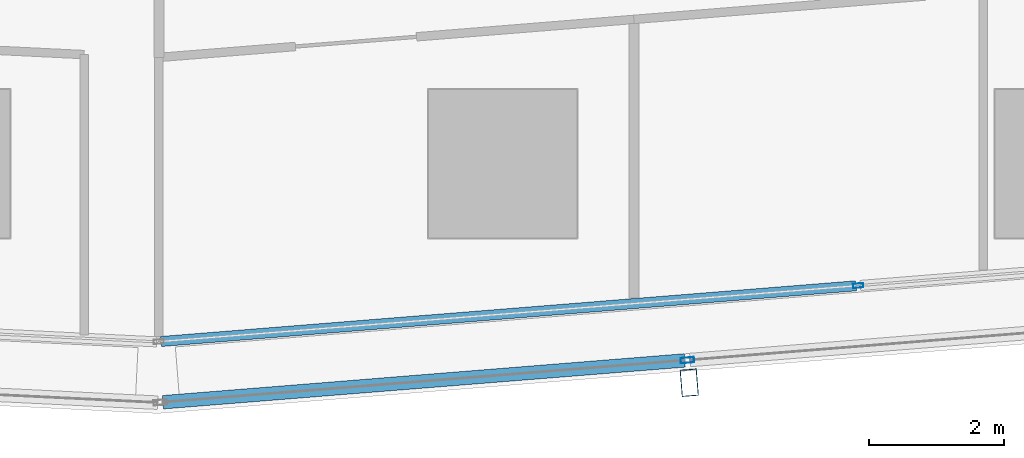
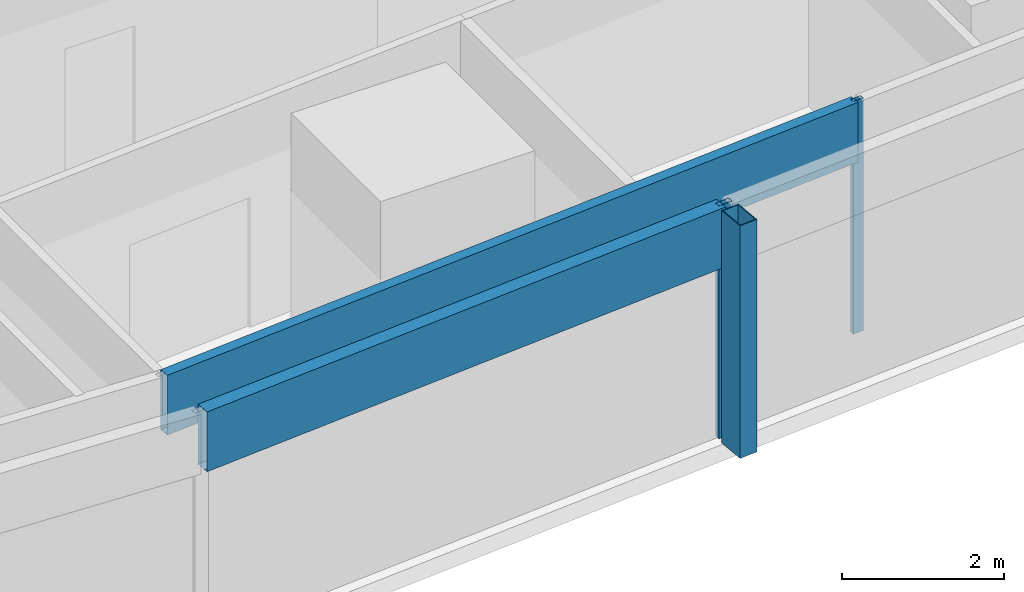
# One storey, part 10 of 42: 5 members, 2 elements without a shape of their own.
"""IFC4 building model written with IfcOpenShell, lengths in metres."""

from ifc_helpers import new_model, si_unit, direction, frame, origin, origin_2d, place, context, subcontext, project, spatial, hollow_rectangle, extrude, material, material_profile, profile_set, type_object, element, aggregate, save


model = new_model("IFC4")

# Units and contexts
model_context = context("Model", 3, precision=1e-05, world=origin(), true_north=direction((0.0, 1.0)))
body_context = subcontext(model_context, "Body", "Model", "MODEL_VIEW")
ifc_project = project(units=[si_unit("LENGTHUNIT", "METRE"), si_unit("AREAUNIT", "SQUARE_METRE"), si_unit("VOLUMEUNIT", "CUBIC_METRE"), si_unit("PLANEANGLEUNIT", "RADIAN"), si_unit("MASSUNIT", "GRAM", prefix="KILO")], contexts=[model_context])

# Site, building, storey
site_placement = place(None, origin())
site = spatial("IfcSite", under=ifc_project, at=site_placement, CompositionType="ELEMENT")
building_placement = place(site_placement, origin())
building = spatial("IfcBuilding", under=site, at=building_placement, Name="Rekha Terrace Tower", CompositionType="ELEMENT")
storey_placement = place(building_placement, frame((0.0, 0.0, 40.39990234375)))
storey = spatial("IfcBuildingStorey", under=building, at=storey_placement, Name="L09", CompositionType="ELEMENT", Elevation=40.39990234375)

# Curtain wall, member
ifc_material_1 = material(Name="Aluminium framing", Category="aluminium")
curtain_wall_type_1 = type_object("IfcCurtainWallType", Name="CW2 double skin outer glazing", PredefinedType="USERDEFINED", material=ifc_material_1)
curtain_wall_1_placement = place(storey_placement, origin())
curtain_wall_1 = element("IfcCurtainWall", 1, at=curtain_wall_1_placement, inside=storey, type_object=curtain_wall_type_1, Name="CW2 double skin outer glazing", ObjectType="DOUBLE SKIN OUTER GLAZING", PredefinedType="USERDEFINED")
ifc_material_2 = material(Name="Steel S355 with fluorocarbon finish", Category="steel")
ifc_material_profile_1 = material_profile(ifc_material_2, hollow_rectangle(XDim=0.25, YDim=0.39990234375, WallThickness=0.012451171875, at=origin_2d()), Name="RHS400x250x12.5")
ifc_profile_set_1 = profile_set([ifc_material_profile_1], Name="Steel S355 with fluorocarbon finish")
member_type_1 = type_object("IfcMemberType", Name="BL1 facade blade RHS 400 x 250", PredefinedType="USERDEFINED", material=ifc_profile_set_1)
member_1_placement = place(storey_placement, frame((53.16748046875, 5.15576171875, 0.0), z_axis=(0.0, 0.0, 1.0), x_axis=(0.996805139821, 0.079871855039, 0.0)))
member_1 = element("IfcMember", 2, at=member_1_placement, type_object=member_type_1, Name="Facade blade", ObjectType="FACADE BLADE", PredefinedType="USERDEFINED", context=body_context, shape_type="SweptSolid", body=[
    extrude(hollow_rectangle(XDim=0.25, YDim=0.39990234375, WallThickness=0.012451171875, at=origin_2d()), origin(), (0.0, 0.0, 1.0), 3.5),
])

# Curtain wall, members
curtain_wall_type_2 = type_object("IfcCurtainWallType", Name="CW1 double skin inner glazing", PredefinedType="USERDEFINED", material=ifc_material_1)
curtain_wall_2_placement = place(storey_placement, origin())
curtain_wall_2 = element("IfcCurtainWall", 3, at=curtain_wall_2_placement, inside=storey, type_object=curtain_wall_type_2, Name="CW1 double skin inner glazing", ObjectType="DOUBLE SKIN INNER GLAZING", PredefinedType="USERDEFINED")
ifc_material_3 = material(Name="Aluminium mullion section", Category="aluminium")
ifc_material_profile_2 = material_profile(ifc_material_3, hollow_rectangle(XDim=0.06494140625, YDim=0.14990234375, WallThickness=0.00390625, at=origin_2d()), Name="AL RHS 65x150")
ifc_profile_set_2 = profile_set([ifc_material_profile_2], Name="Aluminium mullion section")
member_type_2 = type_object("IfcMemberType", Name="CW1 mullion RHS 65 x 150", PredefinedType="MULLION", material=ifc_profile_set_2)
member_2_placement = place(storey_placement, frame((55.672119140625, 6.595458984375, 0.0), z_axis=(0.0, 0.0, 1.0), x_axis=(-0.079872204468, 0.996805111821, 0.0)))
member_2 = element("IfcMember", 4, at=member_2_placement, type_object=member_type_2, Name="CW1 mullion 2", PredefinedType="MULLION", context=body_context, shape_type="SweptSolid", body=[
    extrude(hollow_rectangle(XDim=0.06494140625, YDim=0.14990234375, WallThickness=0.00390625, at=origin_2d()), origin(), (0.0, 0.0, 1.0), 3.5),
])
ifc_material_4 = material(Name="Insulated aluminium spandrel box", Category="aluminium")
ifc_material_profile_3 = material_profile(ifc_material_4, hollow_rectangle(XDim=0.14990234375, YDim=0.89990234375, WallThickness=0.0029296875, at=origin_2d()), Name="AL SPANDREL BOX 150x900")
ifc_profile_set_3 = profile_set([ifc_material_profile_3], Name="Insulated aluminium spandrel box")
member_type_3 = type_object("IfcMemberType", Name="CW1 spandrel transom 150 x 900", PredefinedType="USERDEFINED", material=ifc_profile_set_3)
member_3_placement = place(storey_placement, frame((45.33642578125, 5.767333984375, 3.050048828125), z_axis=(0.996806184606, 0.079858814989, 0.0), x_axis=(-0.079858814989, 0.996806184606, 0.0)))
member_3 = element("IfcMember", 5, at=member_3_placement, type_object=member_type_3, Name="CW1 spandrel transom 1", ObjectType="TRANSOM", PredefinedType="USERDEFINED", context=body_context, shape_type="SweptSolid", body=[
    extrude(hollow_rectangle(XDim=0.14990234375, YDim=0.89990234375, WallThickness=0.0029296875, at=origin_2d()), origin(), (0.0, 0.0, 1.0), 10.336181640625),
])
aggregate(curtain_wall_2, [member_2, member_3])

# Member
ifc_material_profile_4 = material_profile(ifc_material_3, hollow_rectangle(XDim=0.080078125, YDim=0.199951171875, WallThickness=0.00390625, at=origin_2d()), Name="AL RHS 80x200")
ifc_profile_set_4 = profile_set([ifc_material_profile_4], Name="Aluminium mullion section")
member_type_4 = type_object("IfcMemberType", Name="CW2 mullion RHS 80 x 200", PredefinedType="MULLION", material=ifc_profile_set_4)
member_4_placement = place(storey_placement, frame((53.140869140625, 5.48974609375, 0.0), z_axis=(0.0, 0.0, 1.0), x_axis=(-0.079872204468, 0.996805111821, 0.0)))
member_4 = element("IfcMember", 6, at=member_4_placement, type_object=member_type_4, Name="CW2 mullion 2", PredefinedType="MULLION", context=body_context, shape_type="SweptSolid", body=[
    extrude(hollow_rectangle(XDim=0.080078125, YDim=0.199951171875, WallThickness=0.00390625, at=origin_2d()), origin(), (0.0, 0.0, 1.0), 3.5),
])

ifc_material_profile_5 = material_profile(ifc_material_4, hollow_rectangle(XDim=0.199951171875, YDim=0.89990234375, WallThickness=0.0029296875, at=origin_2d()), Name="AL SPANDREL BOX 200x900")
ifc_profile_set_5 = profile_set([ifc_material_profile_5], Name="Insulated aluminium spandrel box")
member_type_5 = type_object("IfcMemberType", Name="CW2 spandrel transom 200 x 900", PredefinedType="USERDEFINED", material=ifc_profile_set_5)
member_5_placement = place(storey_placement, frame((45.365234375, 4.86669921875, 3.050048828125), z_axis=(0.996804766607, 0.079876512622, 0.0), x_axis=(-0.079876512622, 0.996804766607, 0.0)))
member_5 = element("IfcMember", 7, at=member_5_placement, type_object=member_type_5, Name="CW2 spandrel transom 1", ObjectType="TRANSOM", PredefinedType="USERDEFINED", context=body_context, shape_type="SweptSolid", body=[
    extrude(hollow_rectangle(XDim=0.199951171875, YDim=0.89990234375, WallThickness=0.0029296875, at=origin_2d()), origin(), (0.0, 0.0, 1.0), 7.760498046875),
])

aggregate(curtain_wall_1, [member_4, member_5, member_1])

save(model, "model.ifc")
